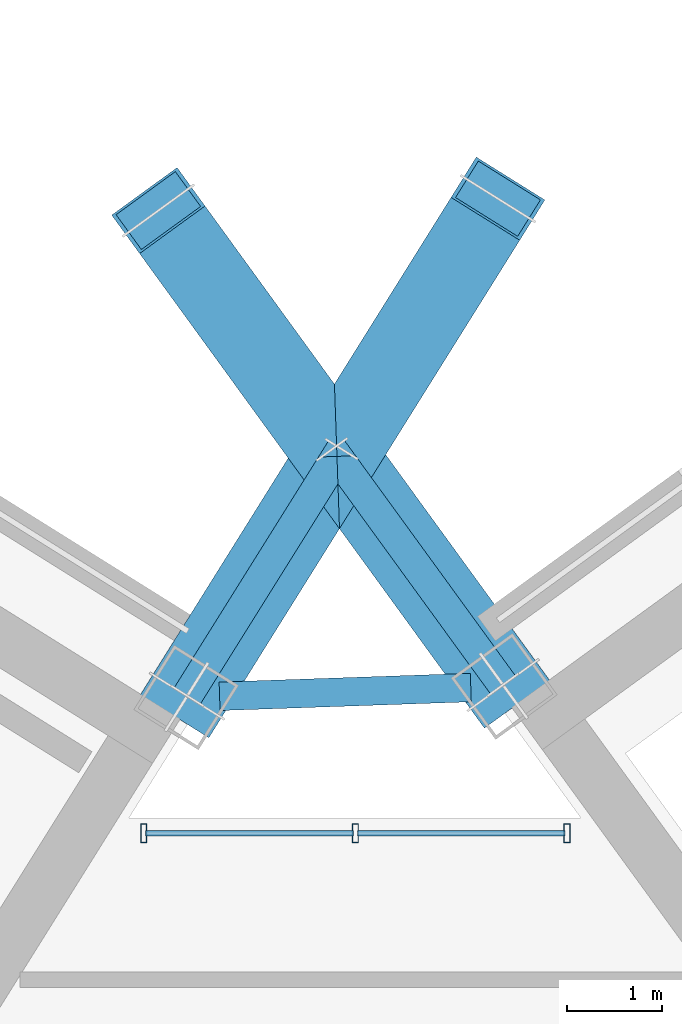
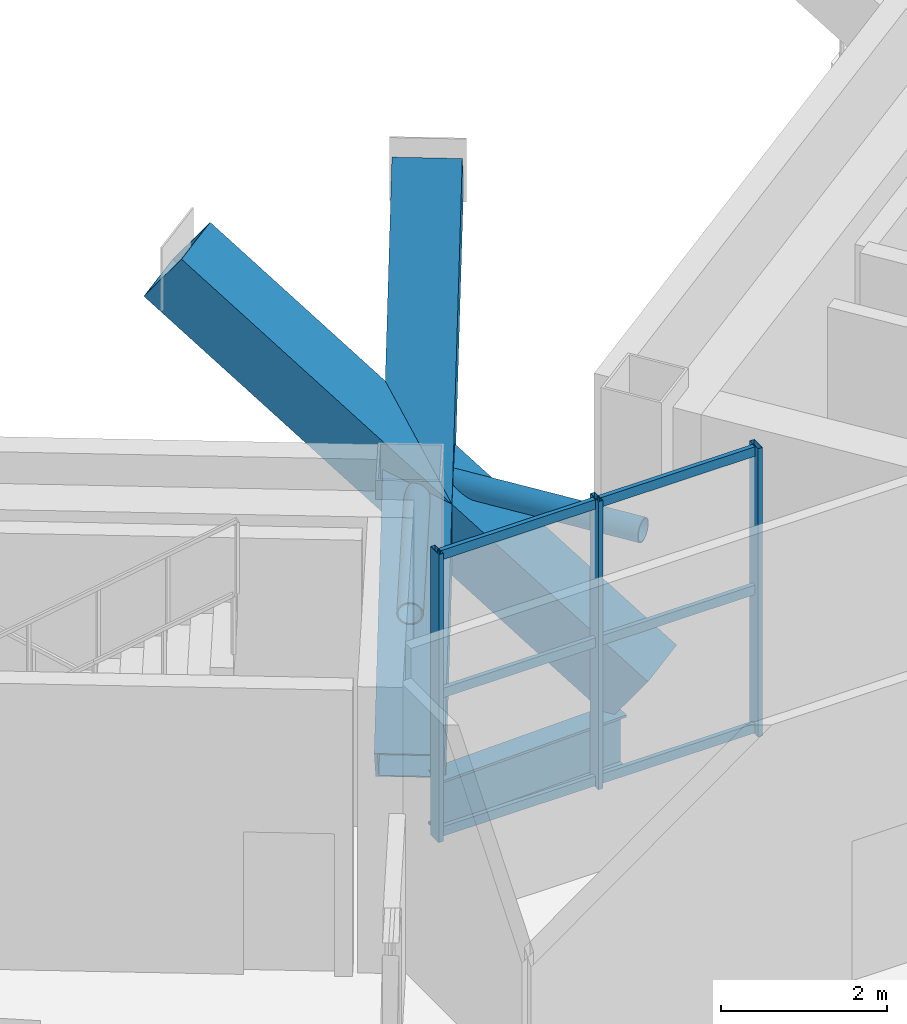
# One storey, part 12 of 34: 13 members, 1 beam, 1 element without a shape of its own.
"""IFC4 building model written with IfcOpenShell, lengths in metres."""

from ifc_helpers import new_model, si_unit, direction, frame, origin, origin_2d, place, context, subcontext, project, spatial, hollow_rectangle, hollow_circle, i_section, extrude, source, transform, mapped, material, material_profile, profile_set, type_object, element, aggregate, save


model = new_model("IFC4")

# Units and contexts
model_context = context("Model", 3, precision=1e-05, world=origin(), true_north=direction((0.0, 1.0)))
body_context = subcontext(model_context, "Body", "Model", "MODEL_VIEW")
ifc_project = project(units=[si_unit("LENGTHUNIT", "METRE"), si_unit("AREAUNIT", "SQUARE_METRE"), si_unit("VOLUMEUNIT", "CUBIC_METRE"), si_unit("PLANEANGLEUNIT", "RADIAN"), si_unit("MASSUNIT", "GRAM", prefix="KILO")], contexts=[model_context])

# Site, building, storey
site_placement = place(None, origin())
site = spatial("IfcSite", under=ifc_project, at=site_placement, CompositionType="ELEMENT")
building_placement = place(site_placement, origin())
building = spatial("IfcBuilding", under=site, at=building_placement, Name="Tlacorven Tower", CompositionType="ELEMENT")
storey_placement = place(building_placement, frame((0.0, 0.0, 174.89990234375)))
storey = spatial("IfcBuildingStorey", under=building, at=storey_placement, Name="L44", CompositionType="ELEMENT", Elevation=174.89990234375)

# Beam
ifc_material_1 = material(Name="Steel S355J2", Category="steel")
ifc_material_profile_1 = material_profile(ifc_material_1, i_section(OverallWidth=0.300048828125, OverallDepth=0.800048828125, WebThickness=0.017578125, FlangeThickness=0.032958984375, at=origin_2d()), Name="HEB 800")
ifc_profile_set_1 = profile_set([ifc_material_profile_1], Name="Steel S355J2")
beam_type = type_object("IfcBeamType", Name="BM-POD-800", PredefinedType="BEAM", material=ifc_profile_set_1)
shared_shape_1 = source(origin(), body_context, "Body", "SweptSolid", [
    extrude(i_section(OverallWidth=0.300048828125, OverallDepth=0.800048828125, WebThickness=0.017578125, FlangeThickness=0.032958984375, at=origin_2d()), origin(), (0.0, 0.0, 1.0), 2.642822265625),
])
beam_placement = place(storey_placement, frame((41.1328125, 24.480712890625, -0.64990234375), z_axis=(0.999393314814, 0.034828182629, 0.0), x_axis=(-0.034828182629, 0.999393314814, 0.0)))
element("IfcBeam", 1, at=beam_placement, inside=storey, type_object=beam_type, Name="L44 Knuckle Link Girder 1", PredefinedType="BEAM", context=body_context, shape_type="MappedRepresentation", body=[
    mapped(shared_shape_1, transform((0.0, 0.0, 0.0), scale=1.0)),
])

# Members
ifc_material_2 = material(Name="Steel S460M", Category="steel")
ifc_material_profile_2 = material_profile(ifc_material_2, hollow_circle(Radius=0.161865234375, WallThickness=0.01611328125, at=origin_2d()), Name="CHS 323.9X16")
ifc_profile_set_2 = profile_set([ifc_material_profile_2], Name="Steel S460M")
member_type_1 = type_object("IfcMemberType", Name="MB-SHF-BRC", PredefinedType="BRACE", material=ifc_profile_set_2)
shared_shape_2 = source(origin(), body_context, "Body", "SweptSolid", [
    extrude(hollow_circle(Radius=0.161865234375, WallThickness=0.01611328125, at=origin_2d()), origin(), (0.0, 0.0, 1.0), 3.06005859375),
])
for number, where, z_axis, x_axis, name in (
    (2, (40.79345703125, 24.4853515625, 2.25), (0.529934393004, 0.848038642463, 0.0), (-0.848038642463, 0.529934393004, 0.0), "L44 Raking Strut Stabilising Web Brace W1"),
    (3, (44.112060546875, 24.601318359375, 2.25), (-0.587777877013, 0.809022352778, 0.0), (-0.809022352778, -0.587777877013, 0.0), "L44 Raking Strut Stabilising Web Brace E1"),
):
    element("IfcMember", number, at=place(storey_placement, frame(where, z_axis=z_axis, x_axis=x_axis)), inside=storey, type_object=member_type_1, Name=name, PredefinedType="BRACE", context=body_context, shape_type="MappedRepresentation", body=[
        mapped(shared_shape_2, transform((0.0, 0.0, 0.0), scale=1.0)),
    ])
ifc_material_profile_3 = material_profile(ifc_material_2, hollow_rectangle(XDim=0.85009765625, YDim=0.85009765625, WallThickness=0.0400390625, at=origin_2d()), Name="BOX 850X850X40")
ifc_profile_set_3 = profile_set([ifc_material_profile_3], Name="Steel S460M")
member_type_2 = type_object("IfcMemberType", Name="MB-RAK-EXT", PredefinedType="STRUT", material=ifc_profile_set_3)
shared_shape_3 = source(origin(), body_context, "Body", "SweptSolid", [
    extrude(hollow_rectangle(XDim=0.85009765625, YDim=0.85009765625, WallThickness=0.0400390625, at=origin_2d()), origin(), (0.0, 0.0, 1.0), 7.620849609375),
])
for number, where, z_axis, x_axis, name in (
    (4, (40.79150390625, 24.482177734375, 0.011962890625), (0.428865308468, 0.686338266125, 0.587379206003), (-0.848051671646, 0.529913542211, 0.0), "L44 Block-Shift Raking Transfer Strut W1"),
    (5, (44.1142578125, 24.59814453125, 0.011962890625), (-0.475700627431, 0.654749102528, 0.587377668796), (-0.809018428472, -0.587783278422, 0.0), "L44 Block-Shift Raking Transfer Strut E1"),
):
    element("IfcMember", number, at=place(storey_placement, frame(where, z_axis=z_axis, x_axis=x_axis)), inside=storey, type_object=member_type_2, Name=name, PredefinedType="STRUT", context=body_context, shape_type="MappedRepresentation", body=[
        mapped(shared_shape_3, transform((0.0, 0.0, 0.0), scale=1.0)),
    ])

# Curtain wall, members
ifc_material_3 = material(Name="Dark solar low-E double glazing in aluminium frame", Category="aluminium")
curtain_wall_type = type_object("IfcCurtainWallType", Name="CW-TWR-MID", PredefinedType="USERDEFINED", material=ifc_material_3)
curtain_wall_placement = place(storey_placement, origin())
curtain_wall = element("IfcCurtainWall", 6, at=curtain_wall_placement, inside=storey, type_object=curtain_wall_type, Name="L44 CW-TWR-MID Curtain Wall 207", ObjectType="UNITISED CURTAIN WALL", PredefinedType="USERDEFINED")
ifc_material_4 = material(Name="Aluminium 6063-T6 anodised", Category="aluminium")
ifc_material_profile_4 = material_profile(ifc_material_4, hollow_rectangle(XDim=0.06494140625, YDim=0.199951171875, WallThickness=0.00439453125, at=origin_2d()), Name="ALU MULLION 65X200")
ifc_profile_set_4 = profile_set([ifc_material_profile_4], Name="Aluminium 6063-T6 anodised")
member_type_3 = type_object("IfcMemberType", Name="CWM-02", PredefinedType="MULLION", material=ifc_profile_set_4)
shared_shape_4 = source(origin(), body_context, "Body", "SweptSolid", [
    extrude(hollow_rectangle(XDim=0.06494140625, YDim=0.199951171875, WallThickness=0.00439453125, at=origin_2d()), origin(), (0.0, 0.0, 1.0), 4.25),
])
member_1_placement = place(storey_placement, frame((40.33544921875, 23.0400390625, -0.02001953125), z_axis=(0.0, 0.0, 1.0), x_axis=(1.0, 0.0, 0.0)))
member_1 = element("IfcMember", 7, at=member_1_placement, type_object=member_type_3, Name="CW-L44-207 Mullion 1", PredefinedType="MULLION", context=body_context, shape_type="MappedRepresentation", body=[
    mapped(shared_shape_4, transform((0.0, 0.0, 0.0), scale=1.0)),
])
member_2_placement = place(storey_placement, frame((42.560791015625, 23.0400390625, -0.02001953125), z_axis=(0.0, 0.0, 1.0), x_axis=(1.0, 0.0, 0.0)))
member_2 = element("IfcMember", 8, at=member_2_placement, type_object=member_type_3, Name="CW-L44-207 Mullion 2", PredefinedType="MULLION", context=body_context, shape_type="MappedRepresentation", body=[
    mapped(shared_shape_4, transform((0.0, 0.0, 0.0), scale=1.0)),
])
member_3_placement = place(storey_placement, frame((44.7861328125, 23.0400390625, -0.02001953125), z_axis=(0.0, 0.0, 1.0), x_axis=(1.0, 0.0, 0.0)))
member_3 = element("IfcMember", 9, at=member_3_placement, type_object=member_type_3, Name="CW-L44-207 Mullion 3", PredefinedType="MULLION", context=body_context, shape_type="MappedRepresentation", body=[
    mapped(shared_shape_4, transform((0.0, 0.0, 0.0), scale=1.0)),
])
ifc_material_profile_5 = material_profile(ifc_material_4, hollow_rectangle(XDim=0.06005859375, YDim=0.139892578125, WallThickness=0.00390625, at=origin_2d()), Name="ALU TRANSOM 60X140")
ifc_profile_set_5 = profile_set([ifc_material_profile_5], Name="Aluminium 6063-T6 anodised")
member_type_4 = type_object("IfcMemberType", Name="CWT-02", PredefinedType="USERDEFINED", material=ifc_profile_set_5)
shared_shape_5 = source(origin(), body_context, "Body", "SweptSolid", [
    extrude(hollow_rectangle(XDim=0.06005859375, YDim=0.139892578125, WallThickness=0.00390625, at=origin_2d()), origin(), (0.0, 0.0, 1.0), 2.184326171875),
])
member_4_placement = place(storey_placement, frame((40.35595703125, 23.0400390625, 0.070068359375), z_axis=(1.0, 0.0, 0.0), x_axis=(0.0, 1.0, 0.0)))
member_4 = element("IfcMember", 10, at=member_4_placement, type_object=member_type_4, Name="CW-L44-207 Transom 1", ObjectType="TRANSOM", PredefinedType="USERDEFINED", context=body_context, shape_type="MappedRepresentation", body=[
    mapped(shared_shape_5, transform((0.0, 0.0, 0.0), scale=1.0)),
])
member_5_placement = place(storey_placement, frame((40.35595703125, 23.0400390625, 2.110107421875), z_axis=(1.0, 0.0, 0.0), x_axis=(0.0, 1.0, 0.0)))
member_5 = element("IfcMember", 11, at=member_5_placement, type_object=member_type_4, Name="CW-L44-207 Transom 2", ObjectType="TRANSOM", PredefinedType="USERDEFINED", context=body_context, shape_type="MappedRepresentation", body=[
    mapped(shared_shape_5, transform((0.0, 0.0, 0.0), scale=1.0)),
])
member_6_placement = place(storey_placement, frame((40.35595703125, 23.0400390625, 4.150146484375), z_axis=(1.0, 0.0, 0.0), x_axis=(0.0, 1.0, 0.0)))
member_6 = element("IfcMember", 12, at=member_6_placement, type_object=member_type_4, Name="CW-L44-207 Transom 3", ObjectType="TRANSOM", PredefinedType="USERDEFINED", context=body_context, shape_type="MappedRepresentation", body=[
    mapped(shared_shape_5, transform((0.0, 0.0, 0.0), scale=1.0)),
])
member_7_placement = place(storey_placement, frame((42.581298828125, 23.0400390625, 0.070068359375), z_axis=(1.0, 0.0, 0.0), x_axis=(0.0, 1.0, 0.0)))
member_7 = element("IfcMember", 13, at=member_7_placement, type_object=member_type_4, Name="CW-L44-207 Transom 4", ObjectType="TRANSOM", PredefinedType="USERDEFINED", context=body_context, shape_type="MappedRepresentation", body=[
    mapped(shared_shape_5, transform((0.0, 0.0, 0.0), scale=1.0)),
])
member_8_placement = place(storey_placement, frame((42.581298828125, 23.0400390625, 2.110107421875), z_axis=(1.0, 0.0, 0.0), x_axis=(0.0, 1.0, 0.0)))
member_8 = element("IfcMember", 14, at=member_8_placement, type_object=member_type_4, Name="CW-L44-207 Transom 5", ObjectType="TRANSOM", PredefinedType="USERDEFINED", context=body_context, shape_type="MappedRepresentation", body=[
    mapped(shared_shape_5, transform((0.0, 0.0, 0.0), scale=1.0)),
])
member_9_placement = place(storey_placement, frame((42.581298828125, 23.0400390625, 4.150146484375), z_axis=(1.0, 0.0, 0.0), x_axis=(0.0, 1.0, 0.0)))
member_9 = element("IfcMember", 15, at=member_9_placement, type_object=member_type_4, Name="CW-L44-207 Transom 6", ObjectType="TRANSOM", PredefinedType="USERDEFINED", context=body_context, shape_type="MappedRepresentation", body=[
    mapped(shared_shape_5, transform((0.0, 0.0, 0.0), scale=1.0)),
])
aggregate(curtain_wall, [member_1, member_2, member_3, member_4, member_5, member_6, member_7, member_8, member_9])

save(model, "model.ifc")
